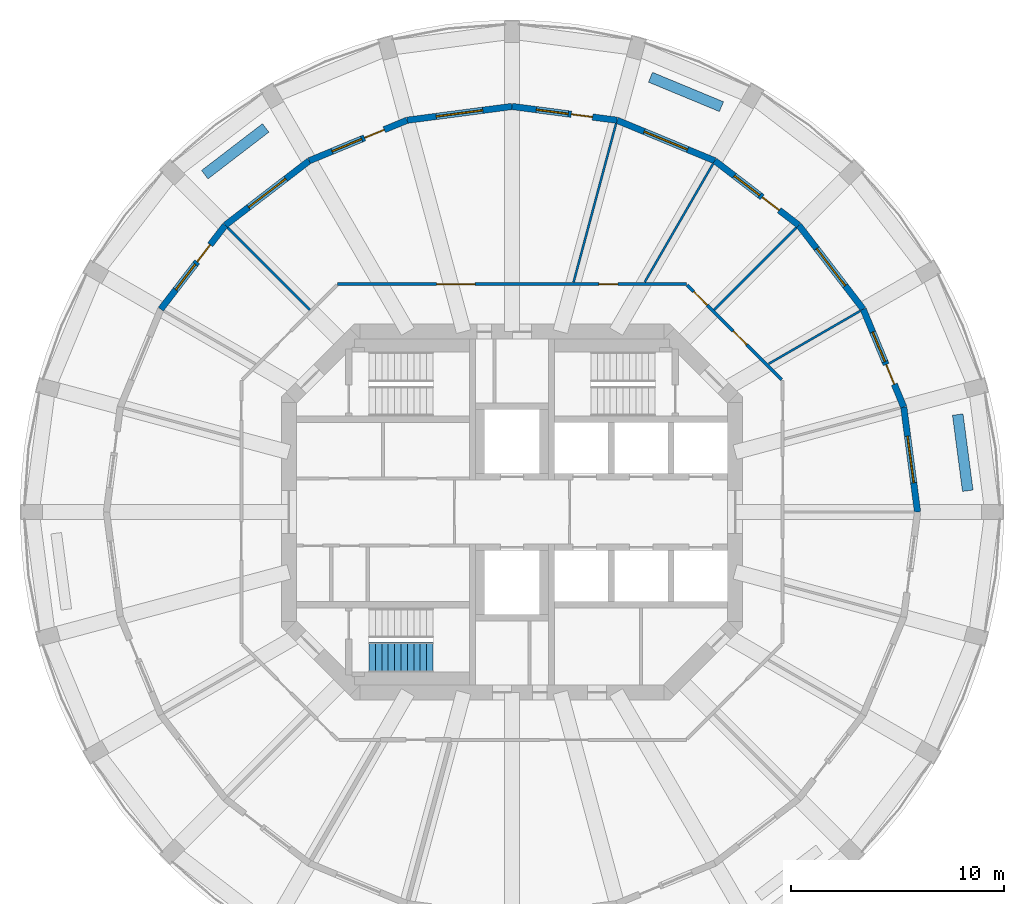
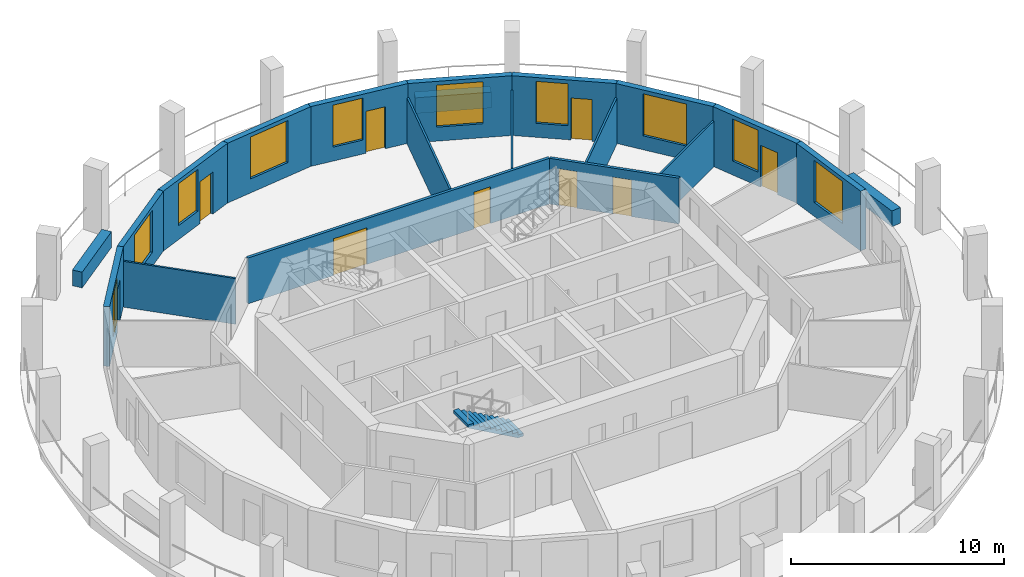
# One storey, part 6 of 9: 20 walls, 10 windows, 9 doors, 1 stair flight, 19 openings, 1 element without a shape of its own.
"""IFC4 building model written with IfcOpenShell, lengths in metres."""

from ifc_helpers import new_model, si_unit, direction, frame, frame_2d, origin, place, context, subcontext, project, spatial, polyline, rectangle, outline, extrude, material, layer, layer_set, type_object, element, fill, aggregate, save


model = new_model("IFC4")

# Units and contexts
model_context = context("Model", 3, precision=1e-05, world=origin(), true_north=direction((0.0, 1.0)))
body_context = subcontext(model_context, "Body", "Model", "MODEL_VIEW")
ifc_project = project(units=[si_unit("LENGTHUNIT", "METRE"), si_unit("AREAUNIT", "SQUARE_METRE"), si_unit("VOLUMEUNIT", "CUBIC_METRE"), si_unit("PLANEANGLEUNIT", "RADIAN"), si_unit("MASSUNIT", "GRAM", prefix="KILO")], contexts=[model_context])

# Site, building, storey
site_placement = place(None, origin())
site = spatial("IfcSite", under=ifc_project, at=site_placement, CompositionType="ELEMENT")
building_placement = place(site_placement, origin())
building = spatial("IfcBuilding", under=site, at=building_placement, Name="Torre Triforio", CompositionType="ELEMENT")
storey_placement = place(building_placement, frame((0.0, 0.0, 157.89990234375)))
storey = spatial("IfcBuildingStorey", under=building, at=storey_placement, Name="L35", CompositionType="ELEMENT", Elevation=157.89990234375)

# Wall, openings, doors
ifc_material_1 = material(Name="Plasterboard on metal studs")
ifc_layer_1 = layer(ifc_material_1, 0.14990234375)
ifc_layer_set_1 = layer_set([ifc_layer_1], Name="Plasterboard on metal studs")
wall_type_1 = type_object("IfcWallType", Name="Corridor and tenancy wall 150 mm EI 60", PredefinedType="PARTITIONING", material=ifc_layer_set_1)
wall_1_placement = place(storey_placement, frame((-8.16650390625, 10.675048828125, 0.0), z_axis=(0.0, 0.0, 1.0), x_axis=(1.0, 0.0, 0.0)))
wall_1 = element("IfcWall", 1, at=wall_1_placement, inside=storey, type_object=wall_type_1, Name="Partition 8", PredefinedType="PARTITIONING", context=body_context, shape_type="SweptSolid", body=[
    extrude(rectangle(XDim=16.3330078125, YDim=0.14990234375, at=frame_2d((8.16650390625, 0.0))), origin(), (0.0, 0.0, 1.0), 2.6201171875),
])
opening_1_placement = place(wall_1_placement, frame((12.232421875, 0.0, 0.0)))
opening_1 = element("IfcOpeningElement", 2, at=opening_1_placement, cuts=wall_1, Name="Opening O1-05", PredefinedType="OPENING", context=body_context, shape_type="SweptSolid", body=[
    extrude(rectangle(XDim=0.89990234375, YDim=2.10009765625, at=frame_2d((0.449951171875, 1.050048828125))), frame((0.0, 0.0849609375, 0.0), z_axis=(0.0, -1.0, 0.0), x_axis=(1.0, 0.0, 0.0)), (0.0, 0.0, 1.0), 0.169921875),
])
opening_2_placement = place(wall_1_placement, frame((4.639404296875, 0.0, 0.0)))
opening_2 = element("IfcOpeningElement", 3, at=opening_2_placement, cuts=wall_1, Name="Opening O1-06", PredefinedType="OPENING", context=body_context, shape_type="SweptSolid", body=[
    extrude(rectangle(XDim=1.800048828125, YDim=2.10009765625, at=frame_2d((0.89990234375, 1.050048828125))), frame((0.0, 0.0849609375, 0.0), z_axis=(0.0, -1.0, 0.0), x_axis=(1.0, 0.0, 0.0)), (0.0, 0.0, 1.0), 0.169921875),
])
ifc_material_2 = material(Name="Timber", Category="wood")
door_type_1 = type_object("IfcDoorType", Name="Door 1800 x 2100 double leaf EI 30", OperationType="DOUBLE_DOOR_SINGLE_SWING", PredefinedType="DOOR", material=ifc_material_2)
door_1_placement = place(opening_2_placement, origin())
door_1 = element("IfcDoor", 4, at=door_1_placement, inside=storey, type_object=door_type_1, Name="Door O1-06", OperationType="DOUBLE_DOOR_SINGLE_SWING", OverallHeight=2.10009765625, OverallWidth=1.800048828125, PredefinedType="DOOR", context=body_context, shape_type="SweptSolid", body=[
    extrude(rectangle(XDim=1.800048828125, YDim=2.10009765625, at=frame_2d((0.89990234375, 1.050048828125))), frame((0.0, 0.02490234375, 0.0), z_axis=(0.0, -1.0, 0.0), x_axis=(1.0, 0.0, 0.0)), (0.0, 0.0, 1.0), 0.050048828125),
])
fill(opening_2, door_1)
door_type_2 = type_object("IfcDoorType", Name="Door 900 x 2100 single leaf EI 30", OperationType="NOTDEFINED", PredefinedType="DOOR", material=ifc_material_2)
door_2_placement = place(opening_1_placement, origin())
door_2 = element("IfcDoor", 5, at=door_2_placement, inside=storey, type_object=door_type_2, Name="Door O1-05", OperationType="SINGLE_SWING_LEFT", OverallHeight=2.10009765625, OverallWidth=0.89990234375, PredefinedType="DOOR", context=body_context, shape_type="SweptSolid", body=[
    extrude(rectangle(XDim=0.89990234375, YDim=2.10009765625, at=frame_2d((0.449951171875, 1.050048828125))), frame((0.0, 0.02490234375, 0.0), z_axis=(0.0, -1.0, 0.0), x_axis=(1.0, 0.0, 0.0)), (0.0, 0.0, 1.0), 0.050048828125),
])
fill(opening_1, door_2)

wall_2_placement = place(storey_placement, frame((8.20361328125, 10.637939453125, 0.0), z_axis=(0.0, 0.0, 1.0), x_axis=(0.707106781187, -0.707106781187, 0.0)))
wall_2 = element("IfcWall", 6, at=wall_2_placement, inside=storey, type_object=wall_type_1, Name="Partition 9", PredefinedType="PARTITIONING", context=body_context, shape_type="SweptSolid", body=[
    extrude(rectangle(XDim=6.27099609375, YDim=0.14990234375, at=frame_2d((3.135498046875, 0.0))), origin(), (0.0, 0.0, 1.0), 2.6201171875),
])
opening_3_placement = place(wall_2_placement, frame((3.056884765625, 0.0, 0.0)))
opening_3 = element("IfcOpeningElement", 7, at=opening_3_placement, cuts=wall_2, Name="Opening O1-03", PredefinedType="OPENING", context=body_context, shape_type="SweptSolid", body=[
    extrude(rectangle(XDim=0.89990234375, YDim=2.10009765625, at=frame_2d((0.449951171875, 1.050048828125))), frame((0.0, 0.0849609375, 0.0), z_axis=(0.0, -1.0, 0.0), x_axis=(1.0, 0.0, 0.0)), (0.0, 0.0, 1.0), 0.169921875),
])
opening_4_placement = place(wall_2_placement, frame((0.435546875, 0.0, 0.0)))
opening_4 = element("IfcOpeningElement", 8, at=opening_4_placement, cuts=wall_2, Name="Opening O1-04", PredefinedType="OPENING", context=body_context, shape_type="SweptSolid", body=[
    extrude(rectangle(XDim=0.89990234375, YDim=2.10009765625, at=frame_2d((0.449951171875, 1.050048828125))), frame((0.0, 0.0849609375, 0.0), z_axis=(0.0, -1.0, 0.0), x_axis=(1.0, 0.0, 0.0)), (0.0, 0.0, 1.0), 0.169921875),
])
door_3_placement = place(opening_3_placement, origin())
door_3 = element("IfcDoor", 9, at=door_3_placement, inside=storey, type_object=door_type_2, Name="Door O1-03", OperationType="SINGLE_SWING_LEFT", OverallHeight=2.10009765625, OverallWidth=0.89990234375, PredefinedType="DOOR", context=body_context, shape_type="SweptSolid", body=[
    extrude(rectangle(XDim=0.89990234375, YDim=2.10009765625, at=frame_2d((0.449951171875, 1.050048828125))), frame((0.0, 0.02490234375, 0.0), z_axis=(0.0, -1.0, 0.0), x_axis=(1.0, 0.0, 0.0)), (0.0, 0.0, 1.0), 0.050048828125),
])
fill(opening_3, door_3)
door_4_placement = place(opening_4_placement, origin())
door_4 = element("IfcDoor", 10, at=door_4_placement, inside=storey, type_object=door_type_2, Name="Door O1-04", OperationType="SINGLE_SWING_LEFT", OverallHeight=2.10009765625, OverallWidth=0.89990234375, PredefinedType="DOOR", context=body_context, shape_type="SweptSolid", body=[
    extrude(rectangle(XDim=0.89990234375, YDim=2.10009765625, at=frame_2d((0.449951171875, 1.050048828125))), frame((0.0, 0.02490234375, 0.0), z_axis=(0.0, -1.0, 0.0), x_axis=(1.0, 0.0, 0.0)), (0.0, 0.0, 1.0), 0.050048828125),
])
fill(opening_4, door_4)

# Walls
ifc_layer_2 = layer(ifc_material_1, 0.10009765625)
ifc_layer_set_2 = layer_set([ifc_layer_2], Name="Plasterboard on metal studs")
wall_type_2 = type_object("IfcWallType", Name="Partition 100 mm board on metal studs", PredefinedType="PARTITIONING", material=ifc_layer_set_2)
wall_3_placement = place(storey_placement, frame((12.025146484375, 6.94287109375, 0.0), z_axis=(0.0, 0.0, 1.0), x_axis=(0.866025463095, 0.499999897272, 0.0)))
element("IfcWall", 11, at=wall_3_placement, inside=storey, type_object=wall_type_2, Name="Partition 13", PredefinedType="PARTITIONING", context=body_context, shape_type="SweptSolid", body=[
    extrude(rectangle(XDim=4.951171875, YDim=0.10009765625, at=frame_2d((2.4755859375, 0.0))), origin(), (0.0, 0.0, 1.0), 2.6201171875),
])
wall_4_placement = place(storey_placement, frame((9.473876953125, 9.473876953125, 0.0), z_axis=(0.0, 0.0, 1.0), x_axis=(0.707106781187, 0.707106781187, 0.0)))
element("IfcWall", 12, at=wall_4_placement, inside=storey, type_object=wall_type_2, Name="Partition 14", PredefinedType="PARTITIONING", context=body_context, shape_type="SweptSolid", body=[
    extrude(rectangle(XDim=5.438720703125, YDim=0.10009765625, at=frame_2d((2.71923828125, 0.0))), origin(), (0.0, 0.0, 1.0), 2.6201171875),
])
wall_5_placement = place(storey_placement, frame((6.220703125, 10.774658203125, 0.0), z_axis=(0.0, 0.0, 1.0), x_axis=(0.500023166934, 0.866012027936, 0.0)))
element("IfcWall", 13, at=wall_5_placement, inside=storey, type_object=wall_type_2, Name="Partition 15", PredefinedType="PARTITIONING", context=body_context, shape_type="SweptSolid", body=[
    extrude(rectangle(XDim=6.395263671875, YDim=0.10009765625, at=frame_2d((3.19775390625, 0.0))), origin(), (0.0, 0.0, 1.0), 2.6201171875),
])
wall_6_placement = place(storey_placement, frame((2.88427734375, 10.764404296875, 0.0), z_axis=(0.0, 0.0, 1.0), x_axis=(0.25881804804, 0.965926093451, 0.0)))
element("IfcWall", 14, at=wall_6_placement, inside=storey, type_object=wall_type_2, Name="Partition 16", PredefinedType="PARTITIONING", context=body_context, shape_type="SweptSolid", body=[
    extrude(rectangle(XDim=7.692626953125, YDim=0.10009765625, at=frame_2d((3.84619140625, 0.0))), origin(), (0.0, 0.0, 1.0), 2.6201171875),
])
wall_7_placement = place(storey_placement, frame((-9.473876953125, 9.473876953125, 0.0), z_axis=(0.0, 0.0, 1.0), x_axis=(-0.707106781187, 0.707106781187, 0.0)))
element("IfcWall", 15, at=wall_7_placement, inside=storey, type_object=wall_type_2, Name="Partition 17", PredefinedType="PARTITIONING", context=body_context, shape_type="SweptSolid", body=[
    extrude(rectangle(XDim=5.438720703125, YDim=0.10009765625, at=frame_2d((2.71923828125, 0.0))), origin(), (0.0, 0.0, 1.0), 2.6201171875),
])
ifc_material_3 = material(Name="Limestone cladding", Category="masonry")
ifc_layer_3 = layer(ifc_material_3, 0.10009765625)
ifc_material_4 = material(Name="Concrete C40", Category="concrete")
ifc_layer_4 = layer(ifc_material_4, 0.39990234375)
ifc_layer_set_3 = layer_set([ifc_layer_3, ifc_layer_4], Name="Limestone cladding / Concrete C40")
wall_type_3 = type_object("IfcWallType", Name="Planter wall 500", PredefinedType="PARAPET", material=ifc_layer_set_3)
for number, where, z_axis, x_axis, name in (
    (16, (21.352783203125, 0.99560546875, 0.0), (0.0, 0.0, 1.0), (-0.130551000099, 0.991441595039, 0.0), "Planter L35 bay 01"),
    (17, (9.814208984375, 18.98974609375, 0.0), (0.0, 0.0, 1.0), (-0.923875488976, 0.382693194178, 0.0), "Planter L35 bay 05"),
):
    element("IfcWall", number, at=place(storey_placement, frame(where, z_axis=z_axis, x_axis=x_axis)), inside=storey, type_object=wall_type_3, Name=name, PredefinedType="PARAPET", context=body_context, shape_type="SweptSolid", body=[
        extrude(rectangle(XDim=3.599853515625, YDim=0.5, at=frame_2d((1.7998046875, 0.0))), origin(), (0.0, 0.0, 1.0), 0.900146484375),
    ])
wall_8_placement = place(storey_placement, frame((-11.53857421875, 17.994140625, 0.0), z_axis=(0.0, 0.0, 1.0), x_axis=(-0.793384730612, -0.608720518162, 0.0)))
element("IfcWall", 18, at=wall_8_placement, inside=storey, type_object=wall_type_3, Name="Planter L35 bay 09", PredefinedType="PARAPET", context=body_context, shape_type="SweptSolid", body=[
    extrude(rectangle(XDim=3.60009765625, YDim=0.5, at=frame_2d((1.800048828125, 0.0))), origin(), (0.0, 0.0, 1.0), 0.900146484375),
])

# Wall, opening, window
ifc_layer_5 = layer(ifc_material_3, 0.10009765625)
ifc_layer_6 = layer(ifc_material_4, 0.199951171875)
ifc_layer_set_4 = layer_set([ifc_layer_5, ifc_layer_6], Name="Limestone cladding / Concrete C40")
wall_type_4 = type_object("IfcWallType", Name="Stone-faced composite wall 300", PredefinedType="STANDARD", material=ifc_layer_set_4)
wall_9_placement = place(storey_placement, frame((19.0, 0.0, 0.0), z_axis=(0.0, 0.0, 1.0), x_axis=(-0.130538549191, 0.991443234469, 0.0)))
wall_9 = element("IfcWall", 19, at=wall_9_placement, inside=storey, type_object=wall_type_4, Name="External wall L35 bay 01", PredefinedType="STANDARD", context=body_context, shape_type="SweptSolid", body=[
    extrude(rectangle(XDim=4.9599609375, YDim=0.300048828125, at=frame_2d((2.47998046875, 0.0))), origin(), (0.0, 0.0, 1.0), 3.420166015625),
])
opening_5_placement = place(wall_9_placement, frame((1.3798828125, 0.0, 0.800048828125)))
opening_5 = element("IfcOpeningElement", 20, at=opening_5_placement, cuts=wall_9, Name="Opening O1-W01", PredefinedType="OPENING", context=body_context, shape_type="SweptSolid", body=[
    extrude(rectangle(XDim=2.199951171875, YDim=2.39990234375, at=frame_2d((1.10009765625, 1.199951171875))), frame((0.0, 0.159912109375, 0.0), z_axis=(0.0, -1.0, 0.0), x_axis=(1.0, 0.0, 0.0)), (0.0, 0.0, 1.0), 0.320068359375),
])
ifc_material_5 = material(Name="Aluminium frame with clear double glazing", Category="aluminium")
window_type_1 = type_object("IfcWindowType", Name="Punched window 2200 x 2400", PartitioningType="DOUBLE_PANEL_VERTICAL", PredefinedType="WINDOW", material=ifc_material_5)
window_1_placement = place(opening_5_placement, origin())
window_1 = element("IfcWindow", 21, at=window_1_placement, inside=storey, type_object=window_type_1, Name="Window EWN5 L35 bay 01", OverallHeight=2.39990234375, OverallWidth=2.199951171875, PartitioningType="SINGLE_PANEL", PredefinedType="WINDOW", context=body_context, shape_type="SweptSolid", body=[
    extrude(rectangle(XDim=2.199951171875, YDim=2.39990234375, at=frame_2d((1.10009765625, 1.199951171875))), frame((0.0, 0.030029296875, 0.0), z_axis=(0.0, -1.0, 0.0), x_axis=(1.0, 0.0, 0.0)), (0.0, 0.0, 1.0), 0.06005859375),
])
fill(opening_5, window_1)

# Wall, openings, door, window
wall_10_placement = place(storey_placement, frame((18.3525390625, 4.91748046875, 0.0), z_axis=(0.0, 0.0, 1.0), x_axis=(-0.382650301762, 0.923893254961, 0.0)))
wall_10 = element("IfcWall", 22, at=wall_10_placement, inside=storey, type_object=wall_type_4, Name="External wall L35 bay 02", PredefinedType="STANDARD", context=body_context, shape_type="SweptSolid", body=[
    extrude(rectangle(XDim=4.9599609375, YDim=0.300048828125, at=frame_2d((2.47998046875, 0.0))), origin(), (0.0, 0.0, 1.0), 3.420166015625),
])
opening_6_placement = place(wall_10_placement, frame((1.155029296875, 0.0, 0.0)))
opening_6 = element("IfcOpeningElement", 23, at=opening_6_placement, cuts=wall_10, Name="Opening O1-D02", PredefinedType="OPENING", context=body_context, shape_type="SweptSolid", body=[
    extrude(rectangle(XDim=1.0, YDim=2.39990234375, at=frame_2d((0.5, 1.199951171875))), frame((0.0, 0.159912109375, 0.0), z_axis=(0.0, -1.0, 0.0), x_axis=(1.0, 0.0, 0.0)), (0.0, 0.0, 1.0), 0.320068359375),
])
opening_7_placement = place(wall_10_placement, frame((2.304931640625, 0.0, 0.800048828125)))
opening_7 = element("IfcOpeningElement", 24, at=opening_7_placement, cuts=wall_10, Name="Opening O1-W02A", PredefinedType="OPENING", context=body_context, shape_type="SweptSolid", body=[
    extrude(rectangle(XDim=1.5, YDim=2.39990234375, at=frame_2d((0.75, 1.199951171875))), frame((0.0, 0.159912109375, 0.0), z_axis=(0.0, -1.0, 0.0), x_axis=(1.0, 0.0, 0.0)), (0.0, 0.0, 1.0), 0.320068359375),
])
door_type_3 = type_object("IfcDoorType", Name="Loggia door 1000 x 2400", OperationType="NOTDEFINED", PredefinedType="DOOR", material=ifc_material_5)
door_5_placement = place(opening_6_placement, origin())
door_5 = element("IfcDoor", 25, at=door_5_placement, inside=storey, type_object=door_type_3, Name="Loggia door L35 bay 02", OperationType="SINGLE_SWING_LEFT", OverallHeight=2.39990234375, OverallWidth=1.0, PredefinedType="DOOR", context=body_context, shape_type="SweptSolid", body=[
    extrude(rectangle(XDim=1.0, YDim=2.39990234375, at=frame_2d((0.5, 1.199951171875))), frame((0.0, 0.02490234375, 0.0), z_axis=(0.0, -1.0, 0.0), x_axis=(1.0, 0.0, 0.0)), (0.0, 0.0, 1.0), 0.050048828125),
])
fill(opening_6, door_5)
window_type_2 = type_object("IfcWindowType", Name="Side window 1500 x 2400", PartitioningType="SINGLE_PANEL", PredefinedType="WINDOW", material=ifc_material_5)
window_2_placement = place(opening_7_placement, origin())
window_2 = element("IfcWindow", 26, at=window_2_placement, inside=storey, type_object=window_type_2, Name="Side window EWN14 L35 bay 02", OverallHeight=2.39990234375, OverallWidth=1.5, PartitioningType="SINGLE_PANEL", PredefinedType="WINDOW", context=body_context, shape_type="SweptSolid", body=[
    extrude(rectangle(XDim=1.5, YDim=2.39990234375, at=frame_2d((0.75, 1.199951171875))), frame((0.0, 0.030029296875, 0.0), z_axis=(0.0, -1.0, 0.0), x_axis=(1.0, 0.0, 0.0)), (0.0, 0.0, 1.0), 0.06005859375),
])
fill(opening_7, window_2)

# Wall, opening, window
wall_11_placement = place(storey_placement, frame((16.45458984375, 9.5, 0.0), z_axis=(0.0, 0.0, 1.0), x_axis=(-0.608768356425, 0.793348024649, 0.0)))
wall_11 = element("IfcWall", 27, at=wall_11_placement, inside=storey, type_object=wall_type_4, Name="External wall L35 bay 03", PredefinedType="STANDARD", context=body_context, shape_type="SweptSolid", body=[
    extrude(rectangle(XDim=4.9599609375, YDim=0.300048828125, at=frame_2d((2.47998046875, 0.0))), origin(), (0.0, 0.0, 1.0), 3.420166015625),
])
opening_8_placement = place(wall_11_placement, frame((1.3798828125, 0.0, 0.800048828125)))
opening_8 = element("IfcOpeningElement", 28, at=opening_8_placement, cuts=wall_11, Name="Opening O1-W03", PredefinedType="OPENING", context=body_context, shape_type="SweptSolid", body=[
    extrude(rectangle(XDim=2.199951171875, YDim=2.39990234375, at=frame_2d((1.10009765625, 1.199951171875))), frame((0.0, 0.159912109375, 0.0), z_axis=(0.0, -1.0, 0.0), x_axis=(1.0, 0.0, 0.0)), (0.0, 0.0, 1.0), 0.320068359375),
])
window_3_placement = place(opening_8_placement, origin())
window_3 = element("IfcWindow", 29, at=window_3_placement, inside=storey, type_object=window_type_1, Name="Window EWN5 L35 bay 03", OverallHeight=2.39990234375, OverallWidth=2.199951171875, PartitioningType="SINGLE_PANEL", PredefinedType="WINDOW", context=body_context, shape_type="SweptSolid", body=[
    extrude(rectangle(XDim=2.199951171875, YDim=2.39990234375, at=frame_2d((1.10009765625, 1.199951171875))), frame((0.0, 0.030029296875, 0.0), z_axis=(0.0, -1.0, 0.0), x_axis=(1.0, 0.0, 0.0)), (0.0, 0.0, 1.0), 0.06005859375),
])
fill(opening_8, window_3)

# Wall, openings, door, window
wall_12_placement = place(storey_placement, frame((13.43505859375, 13.43505859375, 0.0), z_axis=(0.0, 0.0, 1.0), x_axis=(-0.793348024649, 0.608768356425, 0.0)))
wall_12 = element("IfcWall", 30, at=wall_12_placement, inside=storey, type_object=wall_type_4, Name="External wall L35 bay 04", PredefinedType="STANDARD", context=body_context, shape_type="SweptSolid", body=[
    extrude(rectangle(XDim=4.9599609375, YDim=0.300048828125, at=frame_2d((2.47998046875, 0.0))), origin(), (0.0, 0.0, 1.0), 3.420166015625),
])
opening_9_placement = place(wall_12_placement, frame((1.155029296875, 0.0, 0.0)))
opening_9 = element("IfcOpeningElement", 31, at=opening_9_placement, cuts=wall_12, Name="Opening O1-D04", PredefinedType="OPENING", context=body_context, shape_type="SweptSolid", body=[
    extrude(rectangle(XDim=1.0, YDim=2.39990234375, at=frame_2d((0.5, 1.199951171875))), frame((0.0, 0.159912109375, 0.0), z_axis=(0.0, -1.0, 0.0), x_axis=(1.0, 0.0, 0.0)), (0.0, 0.0, 1.0), 0.320068359375),
])
opening_10_placement = place(wall_12_placement, frame((2.304931640625, 0.0, 0.800048828125)))
opening_10 = element("IfcOpeningElement", 32, at=opening_10_placement, cuts=wall_12, Name="Opening O1-W04A", PredefinedType="OPENING", context=body_context, shape_type="SweptSolid", body=[
    extrude(rectangle(XDim=1.5, YDim=2.39990234375, at=frame_2d((0.75, 1.199951171875))), frame((0.0, 0.159912109375, 0.0), z_axis=(0.0, -1.0, 0.0), x_axis=(1.0, 0.0, 0.0)), (0.0, 0.0, 1.0), 0.320068359375),
])
door_6_placement = place(opening_9_placement, origin())
door_6 = element("IfcDoor", 33, at=door_6_placement, inside=storey, type_object=door_type_3, Name="Loggia door L35 bay 04", OperationType="SINGLE_SWING_LEFT", OverallHeight=2.39990234375, OverallWidth=1.0, PredefinedType="DOOR", context=body_context, shape_type="SweptSolid", body=[
    extrude(rectangle(XDim=1.0, YDim=2.39990234375, at=frame_2d((0.5, 1.199951171875))), frame((0.0, 0.02490234375, 0.0), z_axis=(0.0, -1.0, 0.0), x_axis=(1.0, 0.0, 0.0)), (0.0, 0.0, 1.0), 0.050048828125),
])
fill(opening_9, door_6)
window_4_placement = place(opening_10_placement, origin())
window_4 = element("IfcWindow", 34, at=window_4_placement, inside=storey, type_object=window_type_2, Name="Side window EWN14 L35 bay 04", OverallHeight=2.39990234375, OverallWidth=1.5, PartitioningType="SINGLE_PANEL", PredefinedType="WINDOW", context=body_context, shape_type="SweptSolid", body=[
    extrude(rectangle(XDim=1.5, YDim=2.39990234375, at=frame_2d((0.75, 1.199951171875))), frame((0.0, 0.030029296875, 0.0), z_axis=(0.0, -1.0, 0.0), x_axis=(1.0, 0.0, 0.0)), (0.0, 0.0, 1.0), 0.06005859375),
])
fill(opening_10, window_4)

# Wall, opening, window
wall_13_placement = place(storey_placement, frame((9.5, 16.45458984375, 0.0), z_axis=(0.0, 0.0, 1.0), x_axis=(-0.923893254961, 0.382650301762, 0.0)))
wall_13 = element("IfcWall", 35, at=wall_13_placement, inside=storey, type_object=wall_type_4, Name="External wall L35 bay 05", PredefinedType="STANDARD", context=body_context, shape_type="SweptSolid", body=[
    extrude(rectangle(XDim=4.9599609375, YDim=0.300048828125, at=frame_2d((2.47998046875, 0.0))), origin(), (0.0, 0.0, 1.0), 3.420166015625),
])
opening_11_placement = place(wall_13_placement, frame((1.3798828125, 0.0, 0.800048828125)))
opening_11 = element("IfcOpeningElement", 36, at=opening_11_placement, cuts=wall_13, Name="Opening O1-W05", PredefinedType="OPENING", context=body_context, shape_type="SweptSolid", body=[
    extrude(rectangle(XDim=2.199951171875, YDim=2.39990234375, at=frame_2d((1.10009765625, 1.199951171875))), frame((0.0, 0.159912109375, 0.0), z_axis=(0.0, -1.0, 0.0), x_axis=(1.0, 0.0, 0.0)), (0.0, 0.0, 1.0), 0.320068359375),
])
window_5_placement = place(opening_11_placement, origin())
window_5 = element("IfcWindow", 37, at=window_5_placement, inside=storey, type_object=window_type_1, Name="Window EWN5 L35 bay 05", OverallHeight=2.39990234375, OverallWidth=2.199951171875, PartitioningType="SINGLE_PANEL", PredefinedType="WINDOW", context=body_context, shape_type="SweptSolid", body=[
    extrude(rectangle(XDim=2.199951171875, YDim=2.39990234375, at=frame_2d((1.10009765625, 1.199951171875))), frame((0.0, 0.030029296875, 0.0), z_axis=(0.0, -1.0, 0.0), x_axis=(1.0, 0.0, 0.0)), (0.0, 0.0, 1.0), 0.06005859375),
])
fill(opening_11, window_5)

# Wall, openings, door, window
wall_14_placement = place(storey_placement, frame((4.91748046875, 18.3525390625, 0.0), z_axis=(0.0, 0.0, 1.0), x_axis=(-0.991443234469, 0.130538549191, 0.0)))
wall_14 = element("IfcWall", 38, at=wall_14_placement, inside=storey, type_object=wall_type_4, Name="External wall L35 bay 06", PredefinedType="STANDARD", context=body_context, shape_type="SweptSolid", body=[
    extrude(rectangle(XDim=4.9599609375, YDim=0.300048828125, at=frame_2d((2.47998046875, 0.0))), origin(), (0.0, 0.0, 1.0), 3.420166015625),
])
opening_12_placement = place(wall_14_placement, frame((1.155029296875, 0.0, 0.0)))
opening_12 = element("IfcOpeningElement", 39, at=opening_12_placement, cuts=wall_14, Name="Opening O1-D06", PredefinedType="OPENING", context=body_context, shape_type="SweptSolid", body=[
    extrude(rectangle(XDim=1.0, YDim=2.39990234375, at=frame_2d((0.5, 1.199951171875))), frame((0.0, 0.159912109375, 0.0), z_axis=(0.0, -1.0, 0.0), x_axis=(1.0, 0.0, 0.0)), (0.0, 0.0, 1.0), 0.320068359375),
])
opening_13_placement = place(wall_14_placement, frame((2.304931640625, 0.0, 0.800048828125)))
opening_13 = element("IfcOpeningElement", 40, at=opening_13_placement, cuts=wall_14, Name="Opening O1-W06A", PredefinedType="OPENING", context=body_context, shape_type="SweptSolid", body=[
    extrude(rectangle(XDim=1.5, YDim=2.39990234375, at=frame_2d((0.75, 1.199951171875))), frame((0.0, 0.159912109375, 0.0), z_axis=(0.0, -1.0, 0.0), x_axis=(1.0, 0.0, 0.0)), (0.0, 0.0, 1.0), 0.320068359375),
])
door_7_placement = place(opening_12_placement, origin())
door_7 = element("IfcDoor", 41, at=door_7_placement, inside=storey, type_object=door_type_3, Name="Loggia door L35 bay 06", OperationType="SINGLE_SWING_LEFT", OverallHeight=2.39990234375, OverallWidth=1.0, PredefinedType="DOOR", context=body_context, shape_type="SweptSolid", body=[
    extrude(rectangle(XDim=1.0, YDim=2.39990234375, at=frame_2d((0.5, 1.199951171875))), frame((0.0, 0.02490234375, 0.0), z_axis=(0.0, -1.0, 0.0), x_axis=(1.0, 0.0, 0.0)), (0.0, 0.0, 1.0), 0.050048828125),
])
fill(opening_12, door_7)
window_6_placement = place(opening_13_placement, origin())
window_6 = element("IfcWindow", 42, at=window_6_placement, inside=storey, type_object=window_type_2, Name="Side window EWN14 L35 bay 06", OverallHeight=2.39990234375, OverallWidth=1.5, PartitioningType="SINGLE_PANEL", PredefinedType="WINDOW", context=body_context, shape_type="SweptSolid", body=[
    extrude(rectangle(XDim=1.5, YDim=2.39990234375, at=frame_2d((0.75, 1.199951171875))), frame((0.0, 0.030029296875, 0.0), z_axis=(0.0, -1.0, 0.0), x_axis=(1.0, 0.0, 0.0)), (0.0, 0.0, 1.0), 0.06005859375),
])
fill(opening_13, window_6)

# Wall, opening, window
wall_15_placement = place(storey_placement, frame((0.0, 19.0, 0.0), z_axis=(0.0, 0.0, 1.0), x_axis=(-0.991443234469, -0.130538549191, 0.0)))
wall_15 = element("IfcWall", 43, at=wall_15_placement, inside=storey, type_object=wall_type_4, Name="External wall L35 bay 07", PredefinedType="STANDARD", context=body_context, shape_type="SweptSolid", body=[
    extrude(rectangle(XDim=4.9599609375, YDim=0.300048828125, at=frame_2d((2.47998046875, 0.0))), origin(), (0.0, 0.0, 1.0), 3.420166015625),
])
opening_14_placement = place(wall_15_placement, frame((1.3798828125, 0.0, 0.800048828125)))
opening_14 = element("IfcOpeningElement", 44, at=opening_14_placement, cuts=wall_15, Name="Opening O1-W07", PredefinedType="OPENING", context=body_context, shape_type="SweptSolid", body=[
    extrude(rectangle(XDim=2.199951171875, YDim=2.39990234375, at=frame_2d((1.10009765625, 1.199951171875))), frame((0.0, 0.159912109375, 0.0), z_axis=(0.0, -1.0, 0.0), x_axis=(1.0, 0.0, 0.0)), (0.0, 0.0, 1.0), 0.320068359375),
])
window_7_placement = place(opening_14_placement, origin())
window_7 = element("IfcWindow", 45, at=window_7_placement, inside=storey, type_object=window_type_1, Name="Window EWN5 L35 bay 07", OverallHeight=2.39990234375, OverallWidth=2.199951171875, PartitioningType="SINGLE_PANEL", PredefinedType="WINDOW", context=body_context, shape_type="SweptSolid", body=[
    extrude(rectangle(XDim=2.199951171875, YDim=2.39990234375, at=frame_2d((1.10009765625, 1.199951171875))), frame((0.0, 0.030029296875, 0.0), z_axis=(0.0, -1.0, 0.0), x_axis=(1.0, 0.0, 0.0)), (0.0, 0.0, 1.0), 0.06005859375),
])
fill(opening_14, window_7)

# Wall, openings, door, window
wall_16_placement = place(storey_placement, frame((-4.91748046875, 18.3525390625, 0.0), z_axis=(0.0, 0.0, 1.0), x_axis=(-0.923893254961, -0.382650301762, 0.0)))
wall_16 = element("IfcWall", 46, at=wall_16_placement, inside=storey, type_object=wall_type_4, Name="External wall L35 bay 08", PredefinedType="STANDARD", context=body_context, shape_type="SweptSolid", body=[
    extrude(rectangle(XDim=4.9599609375, YDim=0.300048828125, at=frame_2d((2.47998046875, 0.0))), origin(), (0.0, 0.0, 1.0), 3.420166015625),
])
opening_15_placement = place(wall_16_placement, frame((1.155029296875, 0.0, 0.0)))
opening_15 = element("IfcOpeningElement", 47, at=opening_15_placement, cuts=wall_16, Name="Opening O1-D08", PredefinedType="OPENING", context=body_context, shape_type="SweptSolid", body=[
    extrude(rectangle(XDim=1.0, YDim=2.39990234375, at=frame_2d((0.5, 1.199951171875))), frame((0.0, 0.159912109375, 0.0), z_axis=(0.0, -1.0, 0.0), x_axis=(1.0, 0.0, 0.0)), (0.0, 0.0, 1.0), 0.320068359375),
])
opening_16_placement = place(wall_16_placement, frame((2.304931640625, 0.0, 0.800048828125)))
opening_16 = element("IfcOpeningElement", 48, at=opening_16_placement, cuts=wall_16, Name="Opening O1-W08A", PredefinedType="OPENING", context=body_context, shape_type="SweptSolid", body=[
    extrude(rectangle(XDim=1.5, YDim=2.39990234375, at=frame_2d((0.75, 1.199951171875))), frame((0.0, 0.159912109375, 0.0), z_axis=(0.0, -1.0, 0.0), x_axis=(1.0, 0.0, 0.0)), (0.0, 0.0, 1.0), 0.320068359375),
])
door_8_placement = place(opening_15_placement, origin())
door_8 = element("IfcDoor", 49, at=door_8_placement, inside=storey, type_object=door_type_3, Name="Loggia door L35 bay 08", OperationType="SINGLE_SWING_LEFT", OverallHeight=2.39990234375, OverallWidth=1.0, PredefinedType="DOOR", context=body_context, shape_type="SweptSolid", body=[
    extrude(rectangle(XDim=1.0, YDim=2.39990234375, at=frame_2d((0.5, 1.199951171875))), frame((0.0, 0.02490234375, 0.0), z_axis=(0.0, -1.0, 0.0), x_axis=(1.0, 0.0, 0.0)), (0.0, 0.0, 1.0), 0.050048828125),
])
fill(opening_15, door_8)
window_8_placement = place(opening_16_placement, origin())
window_8 = element("IfcWindow", 50, at=window_8_placement, inside=storey, type_object=window_type_2, Name="Side window EWN14 L35 bay 08", OverallHeight=2.39990234375, OverallWidth=1.5, PartitioningType="SINGLE_PANEL", PredefinedType="WINDOW", context=body_context, shape_type="SweptSolid", body=[
    extrude(rectangle(XDim=1.5, YDim=2.39990234375, at=frame_2d((0.75, 1.199951171875))), frame((0.0, 0.030029296875, 0.0), z_axis=(0.0, -1.0, 0.0), x_axis=(1.0, 0.0, 0.0)), (0.0, 0.0, 1.0), 0.06005859375),
])
fill(opening_16, window_8)

# Wall, opening, window
wall_17_placement = place(storey_placement, frame((-9.5, 16.45458984375, 0.0), z_axis=(0.0, 0.0, 1.0), x_axis=(-0.793348024649, -0.608768356425, 0.0)))
wall_17 = element("IfcWall", 51, at=wall_17_placement, inside=storey, type_object=wall_type_4, Name="External wall L35 bay 09", PredefinedType="STANDARD", context=body_context, shape_type="SweptSolid", body=[
    extrude(rectangle(XDim=4.9599609375, YDim=0.300048828125, at=frame_2d((2.47998046875, 0.0))), origin(), (0.0, 0.0, 1.0), 3.420166015625),
])
opening_17_placement = place(wall_17_placement, frame((1.3798828125, 0.0, 0.800048828125)))
opening_17 = element("IfcOpeningElement", 52, at=opening_17_placement, cuts=wall_17, Name="Opening O1-W09", PredefinedType="OPENING", context=body_context, shape_type="SweptSolid", body=[
    extrude(rectangle(XDim=2.199951171875, YDim=2.39990234375, at=frame_2d((1.10009765625, 1.199951171875))), frame((0.0, 0.159912109375, 0.0), z_axis=(0.0, -1.0, 0.0), x_axis=(1.0, 0.0, 0.0)), (0.0, 0.0, 1.0), 0.320068359375),
])
window_9_placement = place(opening_17_placement, origin())
window_9 = element("IfcWindow", 53, at=window_9_placement, inside=storey, type_object=window_type_1, Name="Window EWN5 L35 bay 09", OverallHeight=2.39990234375, OverallWidth=2.199951171875, PartitioningType="SINGLE_PANEL", PredefinedType="WINDOW", context=body_context, shape_type="SweptSolid", body=[
    extrude(rectangle(XDim=2.199951171875, YDim=2.39990234375, at=frame_2d((1.10009765625, 1.199951171875))), frame((0.0, 0.030029296875, 0.0), z_axis=(0.0, -1.0, 0.0), x_axis=(1.0, 0.0, 0.0)), (0.0, 0.0, 1.0), 0.06005859375),
])
fill(opening_17, window_9)

# Wall, openings, door, window
wall_18_placement = place(storey_placement, frame((-13.43505859375, 13.43505859375, 0.0), z_axis=(0.0, 0.0, 1.0), x_axis=(-0.608768356425, -0.793348024649, 0.0)))
wall_18 = element("IfcWall", 54, at=wall_18_placement, inside=storey, type_object=wall_type_4, Name="External wall L35 bay 10", PredefinedType="STANDARD", context=body_context, shape_type="SweptSolid", body=[
    extrude(rectangle(XDim=4.9599609375, YDim=0.300048828125, at=frame_2d((2.47998046875, 0.0))), origin(), (0.0, 0.0, 1.0), 3.420166015625),
])
opening_18_placement = place(wall_18_placement, frame((1.155029296875, 0.0, 0.0)))
opening_18 = element("IfcOpeningElement", 55, at=opening_18_placement, cuts=wall_18, Name="Opening O1-D10", PredefinedType="OPENING", context=body_context, shape_type="SweptSolid", body=[
    extrude(rectangle(XDim=1.0, YDim=2.39990234375, at=frame_2d((0.5, 1.199951171875))), frame((0.0, 0.159912109375, 0.0), z_axis=(0.0, -1.0, 0.0), x_axis=(1.0, 0.0, 0.0)), (0.0, 0.0, 1.0), 0.320068359375),
])
opening_19_placement = place(wall_18_placement, frame((2.304931640625, 0.0, 0.800048828125)))
opening_19 = element("IfcOpeningElement", 56, at=opening_19_placement, cuts=wall_18, Name="Opening O1-W10A", PredefinedType="OPENING", context=body_context, shape_type="SweptSolid", body=[
    extrude(rectangle(XDim=1.5, YDim=2.39990234375, at=frame_2d((0.75, 1.199951171875))), frame((0.0, 0.159912109375, 0.0), z_axis=(0.0, -1.0, 0.0), x_axis=(1.0, 0.0, 0.0)), (0.0, 0.0, 1.0), 0.320068359375),
])
door_9_placement = place(opening_18_placement, origin())
door_9 = element("IfcDoor", 57, at=door_9_placement, inside=storey, type_object=door_type_3, Name="Loggia door L35 bay 10", OperationType="SINGLE_SWING_LEFT", OverallHeight=2.39990234375, OverallWidth=1.0, PredefinedType="DOOR", context=body_context, shape_type="SweptSolid", body=[
    extrude(rectangle(XDim=1.0, YDim=2.39990234375, at=frame_2d((0.5, 1.199951171875))), frame((0.0, 0.02490234375, 0.0), z_axis=(0.0, -1.0, 0.0), x_axis=(1.0, 0.0, 0.0)), (0.0, 0.0, 1.0), 0.050048828125),
])
fill(opening_18, door_9)
window_10_placement = place(opening_19_placement, origin())
window_10 = element("IfcWindow", 58, at=window_10_placement, inside=storey, type_object=window_type_2, Name="Side window EWN14 L35 bay 10", OverallHeight=2.39990234375, OverallWidth=1.5, PartitioningType="SINGLE_PANEL", PredefinedType="WINDOW", context=body_context, shape_type="SweptSolid", body=[
    extrude(rectangle(XDim=1.5, YDim=2.39990234375, at=frame_2d((0.75, 1.199951171875))), frame((0.0, 0.030029296875, 0.0), z_axis=(0.0, -1.0, 0.0), x_axis=(1.0, 0.0, 0.0)), (0.0, 0.0, 1.0), 0.06005859375),
])
fill(opening_19, window_10)

# Stair, stair flight
stair_type = type_object("IfcStairType", Name="STAIR HALF-TURN", PredefinedType="HALF_TURN_STAIR", material=ifc_material_4)
stair_placement = place(storey_placement, origin())
stair = element("IfcStair", 59, at=stair_placement, inside=storey, type_object=stair_type, Name="Exit stair 3", PredefinedType="HALF_TURN_STAIR")
stair_flight_type = type_object("IfcStairFlightType", Name="STAIR FLIGHT 1400", PredefinedType="STRAIGHT", material=ifc_material_4)
stair_flight_placement = place(storey_placement, frame((-3.699951171875, -6.800048828125, 1.85009765625), z_axis=(0.0, 0.0, 1.0), x_axis=(-1.0, 0.0, 0.0)))
stair_flight = element("IfcStairFlight", 60, at=stair_flight_placement, type_object=stair_flight_type, Name="ST3 flight 2", NumberOfRisers=11, NumberOfTreads=10, PredefinedType="STRAIGHT", RiserHeight=0.168181818, TreadLength=0.3, context=body_context, shape_type="SweptSolid", body=[
    extrude(outline(polyline([(0.0, 0.0), (0.0, 0.168212890625), (0.300048828125, 0.168212890625), (0.300048828125, 0.33642578125), (0.60009765625, 0.33642578125), (0.60009765625, 0.504638671875), (0.89990234375, 0.504638671875), (0.89990234375, 0.672607421875), (1.199951171875, 0.672607421875), (1.199951171875, 0.8408203125), (1.5, 0.8408203125), (1.5, 1.009033203125), (1.800048828125, 1.009033203125), (1.800048828125, 1.17724609375), (2.10009765625, 1.17724609375), (2.10009765625, 1.345458984375), (2.39990234375, 1.345458984375), (2.39990234375, 1.513671875), (2.699951171875, 1.513671875), (2.699951171875, 1.681884765625), (3.0, 1.681884765625), (3.0, 1.85009765625), (3.0, 1.510009765625), (0.306640625, 0.0), (0.0, 0.0)])), frame((0.0, 0.699951171875, 0.0), z_axis=(0.0, -1.0, 0.0), x_axis=(1.0, 0.0, 0.0)), (0.0, 0.0, 1.0), 1.39990234375),
])
aggregate(stair, [stair_flight])

save(model, "model.ifc")
